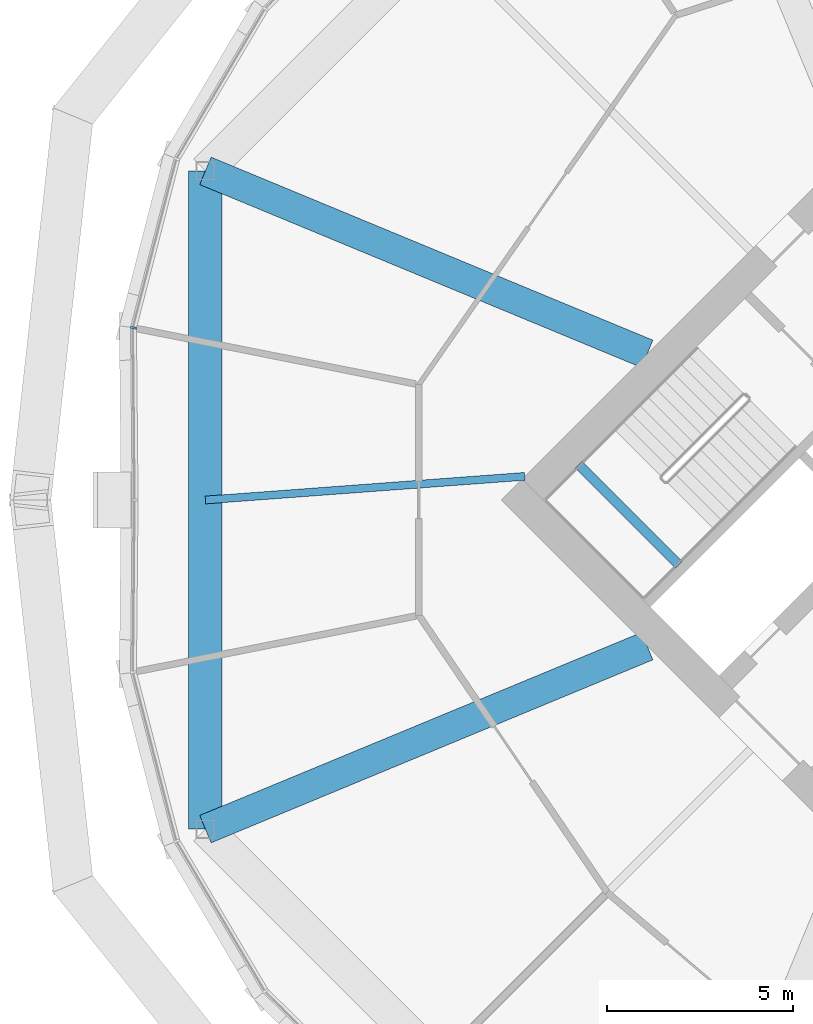
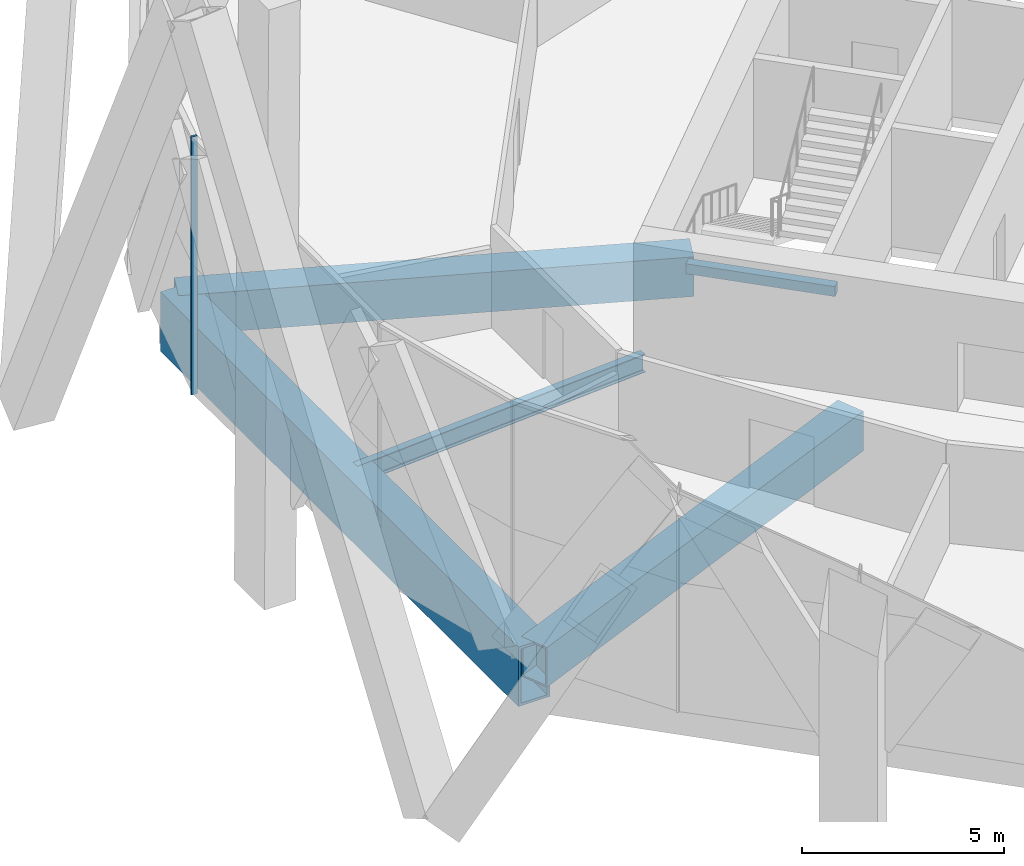
# One storey, part 11 of 30: 5 beams, 1 member, 1 element without a shape of its own.
"""IFC4 building model written with IfcOpenShell, lengths in metres."""

from ifc_helpers import new_model, si_unit, direction, frame, origin, origin_2d, place, context, subcontext, project, spatial, rectangle, hollow_rectangle, i_section, extrude, material, material_profile, profile_set, type_object, element, aggregate, save


model = new_model("IFC4")

# Units and contexts
model_context = context("Model", 3, precision=1e-05, world=origin(), true_north=direction((0.0, 1.0)))
body_context = subcontext(model_context, "Body", "Model", "MODEL_VIEW")
ifc_project = project(units=[si_unit("LENGTHUNIT", "METRE"), si_unit("AREAUNIT", "SQUARE_METRE"), si_unit("VOLUMEUNIT", "CUBIC_METRE"), si_unit("PLANEANGLEUNIT", "RADIAN"), si_unit("MASSUNIT", "GRAM", prefix="KILO")], contexts=[model_context])

# Site, building, storey
site_placement = place(None, origin())
site = spatial("IfcSite", under=ifc_project, at=site_placement, CompositionType="ELEMENT")
building_placement = place(site_placement, origin())
building = spatial("IfcBuilding", under=site, at=building_placement, Name="Ogive Gate Towers", CompositionType="ELEMENT")
storey_placement = place(building_placement, frame((0.0, 0.0, 99.60009765625)))
storey = spatial("IfcBuildingStorey", under=building, at=storey_placement, Name="L23", CompositionType="ELEMENT", Elevation=99.60009765625)

# Beams
ifc_material_1 = material(Name="Steel SM460", Category="steel")
ifc_material_profile_1 = material_profile(ifc_material_1, hollow_rectangle(XDim=0.89990234375, YDim=1.800048828125, WallThickness=0.080078125, at=origin_2d()), Name="BX 1800x900x80")
ifc_profile_set_1 = profile_set([ifc_material_profile_1], Name="Steel SM460")
beam_type_1 = type_object("IfcBeamType", Name="Edge girder BX 1800x900x80", PredefinedType="BEAM", material=ifc_profile_set_1)
beam_1_placement = place(storey_placement, frame((14.60302734375, 8.863037109375, -1.2001953125), z_axis=(0.0, -1.0, 0.0), x_axis=(1.0, 0.0, 0.0)))
element("IfcBeam", 1, at=beam_1_placement, inside=storey, type_object=beam_type_1, Name="T2/L23/SBM024", PredefinedType="BEAM", context=body_context, shape_type="SweptSolid", body=[
    extrude(hollow_rectangle(XDim=0.89990234375, YDim=1.800048828125, WallThickness=0.080078125, at=origin_2d()), origin(), (0.0, 0.0, 1.0), 17.72607421875),
])
ifc_material_2 = material(Name="Concrete C40/50", Category="concrete")
ifc_material_profile_2 = material_profile(ifc_material_2, rectangle(XDim=0.25, YDim=0.300048828125, at=origin_2d()), Name="RC 250x300")
ifc_profile_set_2 = profile_set([ifc_material_profile_2], Name="Concrete C40/50")
beam_type_2 = type_object("IfcBeamType", Name="Landing bearer RC 250x300", PredefinedType="BEAM", material=ifc_profile_set_2)
beam_2_placement = place(storey_placement, frame((24.650390625, 0.9541015625, 1.599853515625), z_axis=(0.707106781187, -0.707106781187, 0.0), x_axis=(0.707106781187, 0.707106781187, 0.0)))
element("IfcBeam", 2, at=beam_2_placement, inside=storey, type_object=beam_type_2, Name="T2 L23 stair 1 landing bearer 1", PredefinedType="BEAM", context=body_context, shape_type="SweptSolid", body=[
    extrude(rectangle(XDim=0.25, YDim=0.300048828125, at=origin_2d()), origin(), (0.0, 0.0, 1.0), 3.824951171875),
])
ifc_material_3 = material(Name="Steel SM355", Category="steel")
ifc_material_profile_3 = material_profile(ifc_material_3, i_section(OverallWidth=0.2099609375, OverallDepth=0.550048828125, WebThickness=0.010986328125, FlangeThickness=0.01708984375, FilletRadius=0.02392578125, at=origin_2d()), Name="IPE 550")
ifc_profile_set_3 = profile_set([ifc_material_profile_3], Name="Steel SM355")
beam_type_3 = type_object("IfcBeamType", Name="Radial floor beam IPE 550", PredefinedType="BEAM", material=ifc_profile_set_3)
beam_3_placement = place(storey_placement, frame((23.201416015625, 0.636474609375, -0.5751953125), z_axis=(-0.997271538954, -0.07382057702, 0.0), x_axis=(0.07382057702, -0.997271538954, 0.0)))
element("IfcBeam", 3, at=beam_3_placement, inside=storey, type_object=beam_type_3, Name="T2/L23/SBM016", PredefinedType="BEAM", context=body_context, shape_type="SweptSolid", body=[
    extrude(i_section(OverallWidth=0.2099609375, OverallDepth=0.550048828125, WebThickness=0.010986328125, FlangeThickness=0.01708984375, FilletRadius=0.02392578125, at=origin_2d()), origin(), (0.0, 0.0, 1.0), 8.621826171875),
])

# Curtain wall, member
ifc_material_4 = material(Name="Pale metal aluminium", Category="aluminium")
curtain_wall_type = type_object("IfcCurtainWallType", Name="Tower unitised wall, low zone", PredefinedType="NOTDEFINED", material=ifc_material_4)
curtain_wall_placement = place(storey_placement, origin())
curtain_wall = element("IfcCurtainWall", 4, at=curtain_wall_placement, inside=storey, type_object=curtain_wall_type, Name="CW1 T2 ECW04", PredefinedType="NOTDEFINED")
ifc_material_profile_4 = material_profile(ifc_material_4, rectangle(XDim=0.159912109375, YDim=0.06005859375, at=origin_2d()), Name="60 x 160 aluminium box")
ifc_profile_set_4 = profile_set([ifc_material_profile_4], Name="Pale metal aluminium")
member_type = type_object("IfcMemberType", Name="Tower unitised wall, low zone mullion 60 x 160", PredefinedType="MULLION", material=ifc_profile_set_4)
member_placement = place(storey_placement, frame((12.665283203125, 4.635498046875, -0.300048828125), z_axis=(0.0, 0.0, 1.0), x_axis=(-0.992671119641, 0.120847210271, 0.0)))
member = element("IfcMember", 5, at=member_placement, type_object=member_type, Name="CW1 mullion", PredefinedType="MULLION", context=body_context, shape_type="SweptSolid", body=[
    extrude(rectangle(XDim=0.159912109375, YDim=0.06005859375, at=origin_2d()), origin(), (0.0, 0.0, 1.0), 7.800048828125),
])
aggregate(curtain_wall, [member])

# Beams
ifc_material_profile_5 = material_profile(ifc_material_1, hollow_rectangle(XDim=0.800048828125, YDim=1.199951171875, WallThickness=0.050048828125, at=origin_2d()), Name="BX 1200x800x50")
ifc_profile_set_5 = profile_set([ifc_material_profile_5], Name="Steel SM460")
beam_type_4 = type_object("IfcBeamType", Name="Transfer radial beam BX 1200x800x50", PredefinedType="BEAM", material=ifc_profile_set_5)
for number, where, z_axis, x_axis, name in (
    (6, (26.5, -3.93505859375, -0.900146484375), (-0.923877031545, -0.382689470177, 0.0), (0.382689470177, -0.923877031545, 0.0), "T2/L23/SBM001"),
    (7, (26.5, 3.93505859375, -0.900146484375), (-0.923877031545, 0.382689470177, 0.0), (-0.382689470177, -0.923877031545, 0.0), "T2/L23/SBM015"),
):
    element("IfcBeam", number, at=place(storey_placement, frame(where, z_axis=z_axis, x_axis=x_axis)), inside=storey, type_object=beam_type_4, Name=name, PredefinedType="BEAM", context=body_context, shape_type="SweptSolid", body=[
        extrude(hollow_rectangle(XDim=0.800048828125, YDim=1.199951171875, WallThickness=0.050048828125, at=origin_2d()), origin(), (0.0, 0.0, 1.0), 12.877197265625),
    ])

save(model, "model.ifc")
